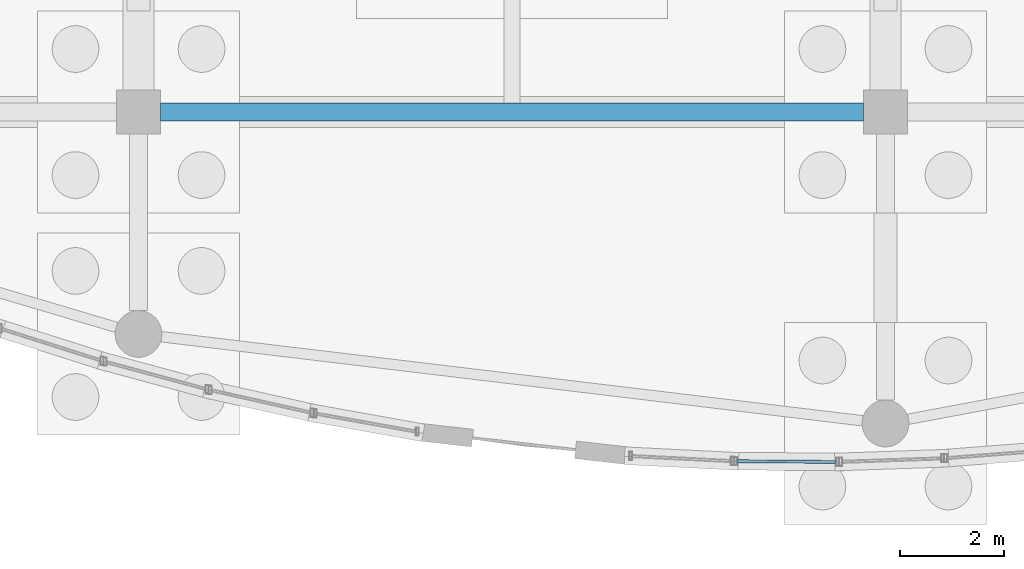
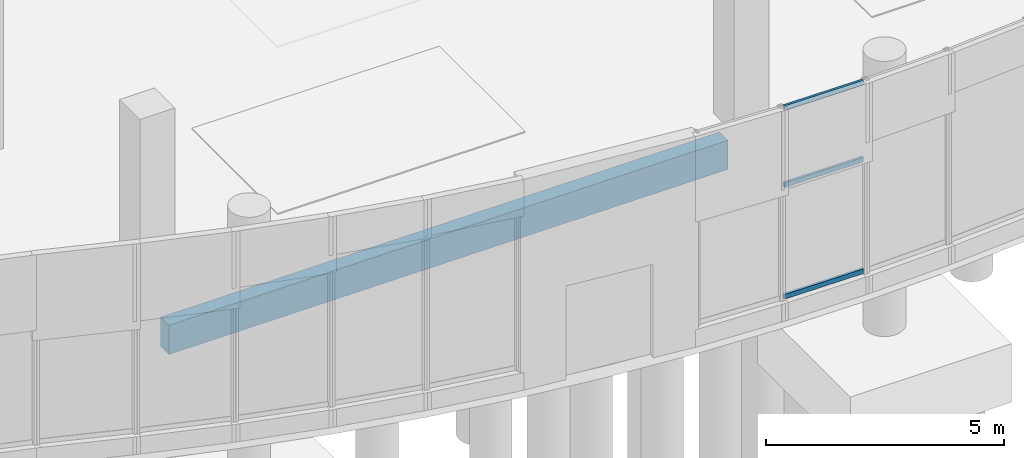
# One storey, part 31 of 192: 3 members, 1 beam, 1 element without a shape of its own.
"""IFC4 building model written with IfcOpenShell, lengths in metres."""

from ifc_helpers import new_model, si_unit, direction, frame, origin, origin_2d, place, context, subcontext, project, spatial, rectangle, hollow_rectangle, extrude, material, material_profile, profile_set, type_object, element, aggregate, save


model = new_model("IFC4")

# Units and contexts
model_context = context("Model", 3, precision=1e-05, world=origin(), true_north=direction((0.0, 1.0)))
body_context = subcontext(model_context, "Body", "Model", "MODEL_VIEW")
ifc_project = project(units=[si_unit("LENGTHUNIT", "METRE"), si_unit("AREAUNIT", "SQUARE_METRE"), si_unit("VOLUMEUNIT", "CUBIC_METRE"), si_unit("PLANEANGLEUNIT", "RADIAN"), si_unit("MASSUNIT", "GRAM", prefix="KILO")], contexts=[model_context])

# Site, building, storey
site_placement = place(None, origin())
site = spatial("IfcSite", under=ifc_project, at=site_placement, CompositionType="ELEMENT")
building_placement = place(site_placement, origin())
building = spatial("IfcBuilding", under=site, at=building_placement, Name="Cendralis Lancet Convention Centre", CompositionType="ELEMENT")
storey_placement = place(building_placement, origin())
storey = spatial("IfcBuildingStorey", under=building, at=storey_placement, Name="L00", CompositionType="ELEMENT", Elevation=0.0)

# Curtain wall, members
ifc_material_1 = material(Name="Anodised bronze architectural aluminium", Category="aluminium")
curtain_wall_type = type_object("IfcCurtainWallType", Name="ARC-CW-WF01", PredefinedType="USERDEFINED", material=ifc_material_1)
curtain_wall_placement = place(storey_placement, origin())
curtain_wall = element("IfcCurtainWall", 1, at=curtain_wall_placement, inside=storey, type_object=curtain_wall_type, Name="L00 Curtain Wall CW-WF1 #024", ObjectType="CURTAIN WALL", PredefinedType="USERDEFINED")
ifc_material_profile_1 = material_profile(ifc_material_1, hollow_rectangle(XDim=0.06005859375, YDim=0.1201171875, WallThickness=0.00390625, at=origin_2d()), Name="AL-TRAN 60x120x4.0")
ifc_profile_set_1 = profile_set([ifc_material_profile_1], Name="Anodised bronze architectural aluminium")
member_type = type_object("IfcMemberType", Name="ARC-CW-TR01", PredefinedType="USERDEFINED", material=ifc_profile_set_1)
member_1_placement = place(storey_placement, frame((54.740966796875, 0.468505859375, 0.510009765625), z_axis=(0.999976054787, -0.006920249514, 0.0), x_axis=(0.006920249514, 0.999976054787, 0.0)))
member_1 = element("IfcMember", 2, at=member_1_placement, type_object=member_type, Name="Transom CW2-CW-WF1-L00-024-T0BOT", ObjectType="TRANSOM", PredefinedType="USERDEFINED", context=body_context, shape_type="SweptSolid", body=[
    extrude(hollow_rectangle(XDim=0.06005859375, YDim=0.1201171875, WallThickness=0.00390625, at=origin_2d()), origin(), (0.0, 0.0, 1.0), 1.905029296875),
])
member_2_placement = place(storey_placement, frame((54.740966796875, 0.468505859375, 3.368896484375), z_axis=(0.999976054787, -0.006920249514, 0.0), x_axis=(0.006920249514, 0.999976054787, 0.0)))
member_2 = element("IfcMember", 3, at=member_2_placement, type_object=member_type, Name="Transom CW2-CW-WF1-L00-024-T0MID", ObjectType="TRANSOM", PredefinedType="USERDEFINED", context=body_context, shape_type="SweptSolid", body=[
    extrude(hollow_rectangle(XDim=0.06005859375, YDim=0.1201171875, WallThickness=0.00390625, at=origin_2d()), origin(), (0.0, 0.0, 1.0), 1.905029296875),
])
member_3_placement = place(storey_placement, frame((54.740966796875, 0.468505859375, 5.340087890625), z_axis=(0.999976054787, -0.006920249514, 0.0), x_axis=(0.006920249514, 0.999976054787, 0.0)))
member_3 = element("IfcMember", 4, at=member_3_placement, type_object=member_type, Name="Transom CW2-CW-WF1-L00-024-T0TOP", ObjectType="TRANSOM", PredefinedType="USERDEFINED", context=body_context, shape_type="SweptSolid", body=[
    extrude(hollow_rectangle(XDim=0.06005859375, YDim=0.1201171875, WallThickness=0.00390625, at=origin_2d()), origin(), (0.0, 0.0, 1.0), 1.905029296875),
])
aggregate(curtain_wall, [member_1, member_2, member_3])

# Beam
ifc_material_2 = material(Name="Concrete G40 (C40/50)", Category="concrete")
ifc_material_profile_2 = material_profile(ifc_material_2, rectangle(XDim=0.35009765625, YDim=0.75, at=origin_2d()), Name="RCB 350x750")
ifc_profile_set_2 = profile_set([ifc_material_profile_2], Name="Concrete G40 (C40/50)")
beam_type = type_object("IfcBeamType", Name="STR-SP-SP01", PredefinedType="SPANDREL", material=ifc_profile_set_2)
beam_placement = place(storey_placement, frame((43.625, 7.199951171875, -0.695068359375), z_axis=(1.0, 0.0, 0.0), x_axis=(0.0, 1.0, 0.0)))
element("IfcBeam", 5, at=beam_placement, inside=storey, type_object=beam_type, Name="L00 Beam SP01 #0659", PredefinedType="SPANDREL", context=body_context, shape_type="SweptSolid", body=[
    extrude(rectangle(XDim=0.35009765625, YDim=0.75, at=origin_2d()), origin(), (0.0, 0.0, 1.0), 13.550048828125),
])

save(model, "model.ifc")
